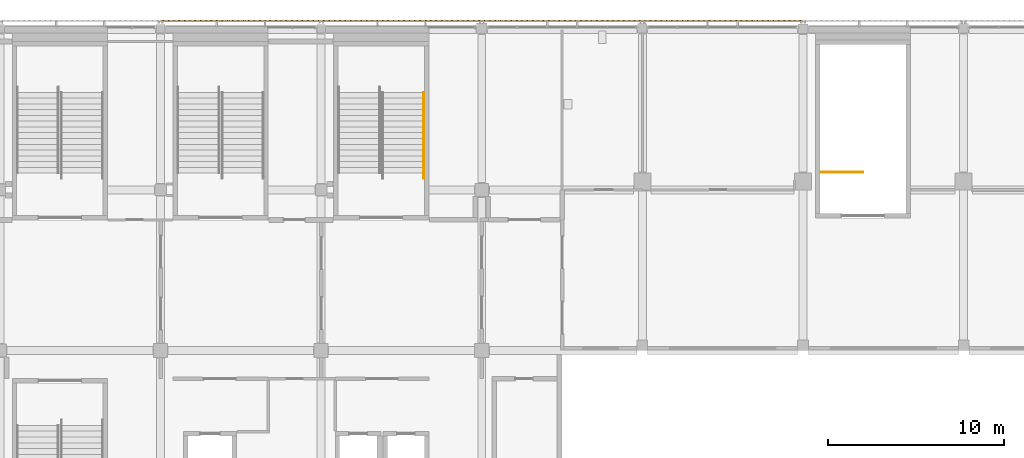
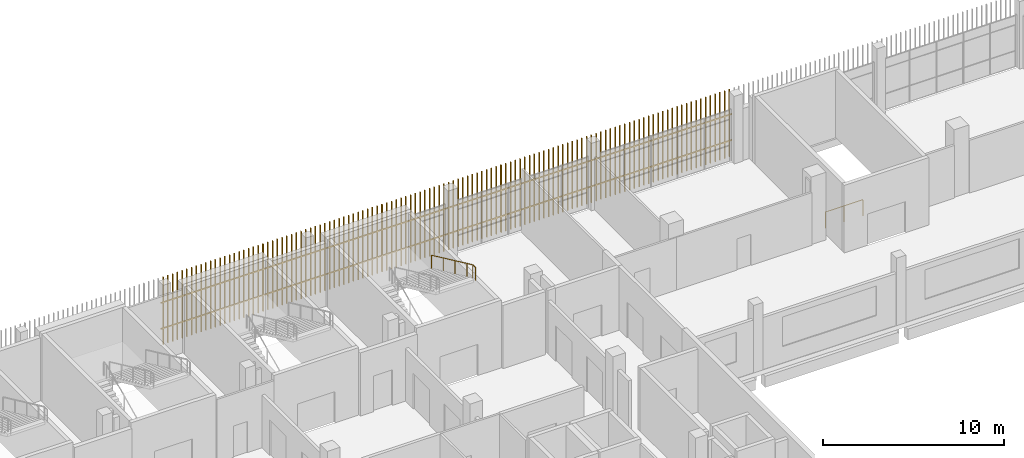
# One storey, part 96 of 104: 4 shading devices, 2 railings.
"""IFC4 building model written with IfcOpenShell, lengths in metres."""

from ifc_helpers import new_model, si_unit, direction, frame, origin, origin_2d, place, context, subcontext, project, spatial, rectangle, circle, extrude, material, type_object, element, save


model = new_model("IFC4")

# Units and contexts
model_context = context("Model", 3, precision=1e-05, world=origin(), true_north=direction((0.0, 1.0)))
body_context = subcontext(model_context, "Body", "Model", "MODEL_VIEW")
ifc_project = project(units=[si_unit("LENGTHUNIT", "METRE"), si_unit("AREAUNIT", "SQUARE_METRE"), si_unit("VOLUMEUNIT", "CUBIC_METRE"), si_unit("PLANEANGLEUNIT", "RADIAN"), si_unit("MASSUNIT", "GRAM", prefix="KILO")], contexts=[model_context])

# Site, building, storey
site_placement = place(None, origin())
site = spatial("IfcSite", under=ifc_project, at=site_placement, CompositionType="ELEMENT")
building_placement = place(site_placement, origin())
building = spatial("IfcBuilding", under=site, at=building_placement, Name="Shirokan Park Arena", CompositionType="ELEMENT")
storey_placement = place(building_placement, frame((0.0, 0.0, 10.919921875)))
storey = spatial("IfcBuildingStorey", under=building, at=storey_placement, Name="L02", CompositionType="ELEMENT", Elevation=10.919921875)

# Railings
ifc_material_1 = material(Name="Stainless steel", Category="steel")
railing_type_1 = type_object("IfcRailingType", Name="Stair handrail 900", PredefinedType="HANDRAIL", material=ifc_material_1)
railing_1_placement = place(storey_placement, frame((33.110107421875, 105.623779296875, 2.4267578125)))
element("IfcRailing", 1, at=railing_1_placement, inside=storey, type_object=railing_type_1, Name="Handrail Exit Stair 4.D L02 to L03", PredefinedType="HANDRAIL", context=body_context, shape_type="SweptSolid", body=[
    extrude(circle(Radius=0.02392578125, at=origin_2d()), frame((0.0, 0.0, 0.8759765625), z_axis=(0.0, -0.907029769225, 0.421066500378), x_axis=(1.0, 0.0, 0.0)), (0.0, 0.0, 1.0), 1.44091796875),
    extrude(circle(Radius=0.02392578125, at=origin_2d()), frame((0.0, -1.306884765625, 1.482421875), z_axis=(0.0, -0.906999720516, 0.421131222998), x_axis=(1.0, 0.0, 0.0)), (0.0, 0.0, 1.0), 1.440673828125),
    extrude(circle(Radius=0.02392578125, at=origin_2d()), frame((0.0, -2.613525390625, 2.08935546875), z_axis=(0.0, -0.907029769225, 0.421066500378), x_axis=(1.0, 0.0, 0.0)), (0.0, 0.0, 1.0), 1.44091796875),
    extrude(circle(Radius=0.02392578125, at=origin_2d()), frame((0.0, -3.92041015625, 2.69580078125), z_axis=(0.0, -0.907064445915, 0.420991794405), x_axis=(1.0, 0.0, 0.0)), (0.0, 0.0, 1.0), 0.72021484375),
    extrude(circle(Radius=0.02392578125, at=origin_2d()), frame((0.0, -4.57373046875, 2.9990234375), z_axis=(0.0, -1.0, 0.0), x_axis=(1.0, 0.0, 0.0)), (0.0, 0.0, 1.0), 0.300048828125),
    extrude(circle(Radius=0.02099609375, at=origin_2d()), origin(), (0.0, 0.0, 1.0), 0.851806640625),
    extrude(circle(Radius=0.02099609375, at=origin_2d()), frame((0.0, -1.306884765625, 0.606689453125)), (0.0, 0.0, 1.0), 0.851806640625),
    extrude(circle(Radius=0.02099609375, at=origin_2d()), frame((0.0, -2.613525390625, 1.21337890625)), (0.0, 0.0, 1.0), 0.851806640625),
    extrude(circle(Radius=0.02099609375, at=origin_2d()), frame((0.0, -3.92041015625, 1.820068359375)), (0.0, 0.0, 1.0), 0.851806640625),
    extrude(circle(Radius=0.02099609375, at=origin_2d()), frame((0.0, -4.57373046875, 2.123291015625)), (0.0, 0.0, 1.0), 0.851806640625),
    extrude(circle(Radius=0.02099609375, at=origin_2d()), frame((0.0, -4.873779296875, 2.123291015625)), (0.0, 0.0, 1.0), 0.851806640625),
])
railing_type_2 = type_object("IfcRailingType", Name="Stair well guard 1100", PredefinedType="GUARDRAIL", material=ifc_material_1)
railing_2_placement = place(storey_placement, frame((55.60009765625, 101.10009765625, 0.0)))
element("IfcRailing", 2, at=railing_2_placement, inside=storey, type_object=railing_type_2, Name="Guard Entrance Stair E4.1 L02", PredefinedType="GUARDRAIL", context=body_context, shape_type="SweptSolid", body=[
    extrude(circle(Radius=0.02490234375, at=origin_2d()), frame((0.0, 0.0, 1.0771484375), z_axis=(1.0, 0.0, 0.0), x_axis=(0.0, 1.0, 0.0)), (0.0, 0.0, 1.0), 2.39990234375),
    extrude(circle(Radius=0.02490234375, at=origin_2d()), origin(), (0.0, 0.0, 1.0), 1.052001953125),
    extrude(circle(Radius=0.02490234375, at=origin_2d()), frame((1.199951171875, 0.0, 0.0)), (0.0, 0.0, 1.0), 1.052001953125),
    extrude(circle(Radius=0.02490234375, at=origin_2d()), frame((2.39990234375, 0.0, 0.0)), (0.0, 0.0, 1.0), 1.052001953125),
])

# Shading devices
ifc_material_2 = material(Name="Timber louvre veil (cedar)", Category="wood")
shading_device_type = type_object("IfcShadingDeviceType", Name="Timber louvre veil panel", PredefinedType="JALOUSIE", material=ifc_material_2)
shading_device_1_placement = place(storey_placement, origin())
element("IfcShadingDevice", 3, at=shading_device_1_placement, inside=storey, type_object=shading_device_type, Name="Timber louvre veil north bay 11 L02", PredefinedType="JALOUSIE", context=body_context, shape_type="SweptSolid", body=[
    extrude(rectangle(XDim=0.050048828125, YDim=0.080078125, at=origin_2d()), frame((54.4482421875, 109.68505859375, 0.0), z_axis=(0.0, 0.0, 1.0), x_axis=(-1.0, 0.0, 0.0)), (0.0, 0.0, 1.0), 4.550048828125),
    extrude(rectangle(XDim=0.050048828125, YDim=0.080078125, at=origin_2d()), frame((54.14501953125, 109.68505859375, 0.0), z_axis=(0.0, 0.0, 1.0), x_axis=(-1.0, 0.0, 0.0)), (0.0, 0.0, 1.0), 4.550048828125),
    extrude(rectangle(XDim=0.050048828125, YDim=0.080078125, at=origin_2d()), frame((53.841552734375, 109.68505859375, 0.0), z_axis=(0.0, 0.0, 1.0), x_axis=(-1.0, 0.0, 0.0)), (0.0, 0.0, 1.0), 4.550048828125),
    extrude(rectangle(XDim=0.050048828125, YDim=0.080078125, at=origin_2d()), frame((53.538330078125, 109.68505859375, 0.0), z_axis=(0.0, 0.0, 1.0), x_axis=(-1.0, 0.0, 0.0)), (0.0, 0.0, 1.0), 4.550048828125),
    extrude(rectangle(XDim=0.050048828125, YDim=0.080078125, at=origin_2d()), frame((53.235107421875, 109.68505859375, 0.0), z_axis=(0.0, 0.0, 1.0), x_axis=(-1.0, 0.0, 0.0)), (0.0, 0.0, 1.0), 4.550048828125),
    extrude(rectangle(XDim=0.050048828125, YDim=0.080078125, at=origin_2d()), frame((52.931640625, 109.68505859375, 0.0), z_axis=(0.0, 0.0, 1.0), x_axis=(-1.0, 0.0, 0.0)), (0.0, 0.0, 1.0), 4.550048828125),
    extrude(rectangle(XDim=0.050048828125, YDim=0.080078125, at=origin_2d()), frame((52.62841796875, 109.68505859375, 0.0), z_axis=(0.0, 0.0, 1.0), x_axis=(-1.0, 0.0, 0.0)), (0.0, 0.0, 1.0), 4.550048828125),
    extrude(rectangle(XDim=0.050048828125, YDim=0.080078125, at=origin_2d()), frame((52.324951171875, 109.68505859375, 0.0), z_axis=(0.0, 0.0, 1.0), x_axis=(-1.0, 0.0, 0.0)), (0.0, 0.0, 1.0), 4.550048828125),
    extrude(rectangle(XDim=0.050048828125, YDim=0.080078125, at=origin_2d()), frame((52.021728515625, 109.68505859375, 0.0), z_axis=(0.0, 0.0, 1.0), x_axis=(-1.0, 0.0, 0.0)), (0.0, 0.0, 1.0), 4.550048828125),
    extrude(rectangle(XDim=0.050048828125, YDim=0.080078125, at=origin_2d()), frame((51.71826171875, 109.68505859375, 0.0), z_axis=(0.0, 0.0, 1.0), x_axis=(-1.0, 0.0, 0.0)), (0.0, 0.0, 1.0), 4.550048828125),
    extrude(rectangle(XDim=0.050048828125, YDim=0.080078125, at=origin_2d()), frame((51.4150390625, 109.68505859375, 0.0), z_axis=(0.0, 0.0, 1.0), x_axis=(-1.0, 0.0, 0.0)), (0.0, 0.0, 1.0), 4.550048828125),
    extrude(rectangle(XDim=0.050048828125, YDim=0.080078125, at=origin_2d()), frame((51.111572265625, 109.68505859375, 0.0), z_axis=(0.0, 0.0, 1.0), x_axis=(-1.0, 0.0, 0.0)), (0.0, 0.0, 1.0), 4.550048828125),
    extrude(rectangle(XDim=0.050048828125, YDim=0.080078125, at=origin_2d()), frame((50.808349609375, 109.68505859375, 0.0), z_axis=(0.0, 0.0, 1.0), x_axis=(-1.0, 0.0, 0.0)), (0.0, 0.0, 1.0), 4.550048828125),
    extrude(rectangle(XDim=0.050048828125, YDim=0.080078125, at=origin_2d()), frame((50.5048828125, 109.68505859375, 0.0), z_axis=(0.0, 0.0, 1.0), x_axis=(-1.0, 0.0, 0.0)), (0.0, 0.0, 1.0), 4.550048828125),
    extrude(rectangle(XDim=0.050048828125, YDim=0.080078125, at=origin_2d()), frame((50.20166015625, 109.68505859375, 0.0), z_axis=(0.0, 0.0, 1.0), x_axis=(-1.0, 0.0, 0.0)), (0.0, 0.0, 1.0), 4.550048828125),
    extrude(rectangle(XDim=0.050048828125, YDim=0.080078125, at=origin_2d()), frame((49.8984375, 109.68505859375, 0.0), z_axis=(0.0, 0.0, 1.0), x_axis=(-1.0, 0.0, 0.0)), (0.0, 0.0, 1.0), 4.550048828125),
    extrude(rectangle(XDim=0.050048828125, YDim=0.080078125, at=origin_2d()), frame((49.594970703125, 109.68505859375, 0.0), z_axis=(0.0, 0.0, 1.0), x_axis=(-1.0, 0.0, 0.0)), (0.0, 0.0, 1.0), 4.550048828125),
    extrude(rectangle(XDim=0.050048828125, YDim=0.080078125, at=origin_2d()), frame((49.291748046875, 109.68505859375, 0.0), z_axis=(0.0, 0.0, 1.0), x_axis=(-1.0, 0.0, 0.0)), (0.0, 0.0, 1.0), 4.550048828125),
    extrude(rectangle(XDim=0.050048828125, YDim=0.080078125, at=origin_2d()), frame((48.98828125, 109.68505859375, 0.0), z_axis=(0.0, 0.0, 1.0), x_axis=(-1.0, 0.0, 0.0)), (0.0, 0.0, 1.0), 4.550048828125),
    extrude(rectangle(XDim=0.050048828125, YDim=0.080078125, at=origin_2d()), frame((48.68505859375, 109.68505859375, 0.0), z_axis=(0.0, 0.0, 1.0), x_axis=(-1.0, 0.0, 0.0)), (0.0, 0.0, 1.0), 4.550048828125),
    extrude(rectangle(XDim=0.050048828125, YDim=0.080078125, at=origin_2d()), frame((48.381591796875, 109.68505859375, 0.0), z_axis=(0.0, 0.0, 1.0), x_axis=(-1.0, 0.0, 0.0)), (0.0, 0.0, 1.0), 4.550048828125),
    extrude(rectangle(XDim=0.050048828125, YDim=0.080078125, at=origin_2d()), frame((48.078369140625, 109.68505859375, 0.0), z_axis=(0.0, 0.0, 1.0), x_axis=(-1.0, 0.0, 0.0)), (0.0, 0.0, 1.0), 4.550048828125),
    extrude(rectangle(XDim=0.050048828125, YDim=0.080078125, at=origin_2d()), frame((47.77490234375, 109.68505859375, 0.0), z_axis=(0.0, 0.0, 1.0), x_axis=(-1.0, 0.0, 0.0)), (0.0, 0.0, 1.0), 4.550048828125),
    extrude(rectangle(XDim=0.050048828125, YDim=0.080078125, at=origin_2d()), frame((47.4716796875, 109.68505859375, 0.0), z_axis=(0.0, 0.0, 1.0), x_axis=(-1.0, 0.0, 0.0)), (0.0, 0.0, 1.0), 4.550048828125),
    extrude(rectangle(XDim=0.050048828125, YDim=0.080078125, at=origin_2d()), frame((47.168212890625, 109.68505859375, 0.0), z_axis=(0.0, 0.0, 1.0), x_axis=(-1.0, 0.0, 0.0)), (0.0, 0.0, 1.0), 4.550048828125),
    extrude(rectangle(XDim=0.050048828125, YDim=0.080078125, at=origin_2d()), frame((46.864990234375, 109.68505859375, 0.0), z_axis=(0.0, 0.0, 1.0), x_axis=(-1.0, 0.0, 0.0)), (0.0, 0.0, 1.0), 4.550048828125),
    extrude(rectangle(XDim=0.050048828125, YDim=0.080078125, at=origin_2d()), frame((46.561767578125, 109.68505859375, 0.0), z_axis=(0.0, 0.0, 1.0), x_axis=(-1.0, 0.0, 0.0)), (0.0, 0.0, 1.0), 4.550048828125),
    extrude(rectangle(XDim=0.050048828125, YDim=0.080078125, at=origin_2d()), frame((46.25830078125, 109.68505859375, 0.0), z_axis=(0.0, 0.0, 1.0), x_axis=(-1.0, 0.0, 0.0)), (0.0, 0.0, 1.0), 4.550048828125),
    extrude(rectangle(XDim=0.050048828125, YDim=0.080078125, at=origin_2d()), frame((45.955078125, 109.68505859375, 0.0), z_axis=(0.0, 0.0, 1.0), x_axis=(-1.0, 0.0, 0.0)), (0.0, 0.0, 1.0), 4.550048828125),
    extrude(rectangle(XDim=0.050048828125, YDim=0.080078125, at=origin_2d()), frame((45.651611328125, 109.68505859375, 0.0), z_axis=(0.0, 0.0, 1.0), x_axis=(-1.0, 0.0, 0.0)), (0.0, 0.0, 1.0), 4.550048828125),
    extrude(rectangle(XDim=9.10009765625, YDim=0.050048828125, at=origin_2d()), frame((50.050048828125, 109.669921875, 1.06005859375), z_axis=(0.0, 0.0, 1.0), x_axis=(-1.0, 0.0, 0.0)), (0.0, 0.0, 1.0), 0.080078125),
    extrude(rectangle(XDim=9.10009765625, YDim=0.050048828125, at=origin_2d()), frame((50.050048828125, 109.669921875, 2.81005859375), z_axis=(0.0, 0.0, 1.0), x_axis=(-1.0, 0.0, 0.0)), (0.0, 0.0, 1.0), 0.080078125),
])
shading_device_2_placement = place(storey_placement, origin())
element("IfcShadingDevice", 4, at=shading_device_2_placement, inside=storey, type_object=shading_device_type, Name="Timber louvre veil north bay 12 L02", PredefinedType="JALOUSIE", context=body_context, shape_type="SweptSolid", body=[
    extrude(rectangle(XDim=0.050048828125, YDim=0.080078125, at=origin_2d()), frame((45.348388671875, 109.68505859375, 0.0), z_axis=(0.0, 0.0, 1.0), x_axis=(-1.0, 0.0, 0.0)), (0.0, 0.0, 1.0), 4.550048828125),
    extrude(rectangle(XDim=0.050048828125, YDim=0.080078125, at=origin_2d()), frame((45.044921875, 109.68505859375, 0.0), z_axis=(0.0, 0.0, 1.0), x_axis=(-1.0, 0.0, 0.0)), (0.0, 0.0, 1.0), 4.550048828125),
    extrude(rectangle(XDim=0.050048828125, YDim=0.080078125, at=origin_2d()), frame((44.74169921875, 109.68505859375, 0.0), z_axis=(0.0, 0.0, 1.0), x_axis=(-1.0, 0.0, 0.0)), (0.0, 0.0, 1.0), 4.550048828125),
    extrude(rectangle(XDim=0.050048828125, YDim=0.080078125, at=origin_2d()), frame((44.438232421875, 109.68505859375, 0.0), z_axis=(0.0, 0.0, 1.0), x_axis=(-1.0, 0.0, 0.0)), (0.0, 0.0, 1.0), 4.550048828125),
    extrude(rectangle(XDim=0.050048828125, YDim=0.080078125, at=origin_2d()), frame((44.135009765625, 109.68505859375, 0.0), z_axis=(0.0, 0.0, 1.0), x_axis=(-1.0, 0.0, 0.0)), (0.0, 0.0, 1.0), 4.550048828125),
    extrude(rectangle(XDim=0.050048828125, YDim=0.080078125, at=origin_2d()), frame((43.831787109375, 109.68505859375, 0.0), z_axis=(0.0, 0.0, 1.0), x_axis=(-1.0, 0.0, 0.0)), (0.0, 0.0, 1.0), 4.550048828125),
    extrude(rectangle(XDim=0.050048828125, YDim=0.080078125, at=origin_2d()), frame((43.5283203125, 109.68505859375, 0.0), z_axis=(0.0, 0.0, 1.0), x_axis=(-1.0, 0.0, 0.0)), (0.0, 0.0, 1.0), 4.550048828125),
    extrude(rectangle(XDim=0.050048828125, YDim=0.080078125, at=origin_2d()), frame((43.22509765625, 109.68505859375, 0.0), z_axis=(0.0, 0.0, 1.0), x_axis=(-1.0, 0.0, 0.0)), (0.0, 0.0, 1.0), 4.550048828125),
    extrude(rectangle(XDim=0.050048828125, YDim=0.080078125, at=origin_2d()), frame((42.921630859375, 109.68505859375, 0.0), z_axis=(0.0, 0.0, 1.0), x_axis=(-1.0, 0.0, 0.0)), (0.0, 0.0, 1.0), 4.550048828125),
    extrude(rectangle(XDim=0.050048828125, YDim=0.080078125, at=origin_2d()), frame((42.618408203125, 109.68505859375, 0.0), z_axis=(0.0, 0.0, 1.0), x_axis=(-1.0, 0.0, 0.0)), (0.0, 0.0, 1.0), 4.550048828125),
    extrude(rectangle(XDim=0.050048828125, YDim=0.080078125, at=origin_2d()), frame((42.31494140625, 109.68505859375, 0.0), z_axis=(0.0, 0.0, 1.0), x_axis=(-1.0, 0.0, 0.0)), (0.0, 0.0, 1.0), 4.550048828125),
    extrude(rectangle(XDim=0.050048828125, YDim=0.080078125, at=origin_2d()), frame((42.01171875, 109.68505859375, 0.0), z_axis=(0.0, 0.0, 1.0), x_axis=(-1.0, 0.0, 0.0)), (0.0, 0.0, 1.0), 4.550048828125),
    extrude(rectangle(XDim=0.050048828125, YDim=0.080078125, at=origin_2d()), frame((41.708251953125, 109.68505859375, 0.0), z_axis=(0.0, 0.0, 1.0), x_axis=(-1.0, 0.0, 0.0)), (0.0, 0.0, 1.0), 4.550048828125),
    extrude(rectangle(XDim=0.050048828125, YDim=0.080078125, at=origin_2d()), frame((41.405029296875, 109.68505859375, 0.0), z_axis=(0.0, 0.0, 1.0), x_axis=(-1.0, 0.0, 0.0)), (0.0, 0.0, 1.0), 4.550048828125),
    extrude(rectangle(XDim=0.050048828125, YDim=0.080078125, at=origin_2d()), frame((41.1015625, 109.68505859375, 0.0), z_axis=(0.0, 0.0, 1.0), x_axis=(-1.0, 0.0, 0.0)), (0.0, 0.0, 1.0), 4.550048828125),
    extrude(rectangle(XDim=0.050048828125, YDim=0.080078125, at=origin_2d()), frame((40.79833984375, 109.68505859375, 0.0), z_axis=(0.0, 0.0, 1.0), x_axis=(-1.0, 0.0, 0.0)), (0.0, 0.0, 1.0), 4.550048828125),
    extrude(rectangle(XDim=0.050048828125, YDim=0.080078125, at=origin_2d()), frame((40.4951171875, 109.68505859375, 0.0), z_axis=(0.0, 0.0, 1.0), x_axis=(-1.0, 0.0, 0.0)), (0.0, 0.0, 1.0), 4.550048828125),
    extrude(rectangle(XDim=0.050048828125, YDim=0.080078125, at=origin_2d()), frame((40.191650390625, 109.68505859375, 0.0), z_axis=(0.0, 0.0, 1.0), x_axis=(-1.0, 0.0, 0.0)), (0.0, 0.0, 1.0), 4.550048828125),
    extrude(rectangle(XDim=0.050048828125, YDim=0.080078125, at=origin_2d()), frame((39.888427734375, 109.68505859375, 0.0), z_axis=(0.0, 0.0, 1.0), x_axis=(-1.0, 0.0, 0.0)), (0.0, 0.0, 1.0), 4.550048828125),
    extrude(rectangle(XDim=0.050048828125, YDim=0.080078125, at=origin_2d()), frame((39.5849609375, 109.68505859375, 0.0), z_axis=(0.0, 0.0, 1.0), x_axis=(-1.0, 0.0, 0.0)), (0.0, 0.0, 1.0), 4.550048828125),
    extrude(rectangle(XDim=0.050048828125, YDim=0.080078125, at=origin_2d()), frame((39.28173828125, 109.68505859375, 0.0), z_axis=(0.0, 0.0, 1.0), x_axis=(-1.0, 0.0, 0.0)), (0.0, 0.0, 1.0), 4.550048828125),
    extrude(rectangle(XDim=0.050048828125, YDim=0.080078125, at=origin_2d()), frame((38.978271484375, 109.68505859375, 0.0), z_axis=(0.0, 0.0, 1.0), x_axis=(-1.0, 0.0, 0.0)), (0.0, 0.0, 1.0), 4.550048828125),
    extrude(rectangle(XDim=0.050048828125, YDim=0.080078125, at=origin_2d()), frame((38.675048828125, 109.68505859375, 0.0), z_axis=(0.0, 0.0, 1.0), x_axis=(-1.0, 0.0, 0.0)), (0.0, 0.0, 1.0), 4.550048828125),
    extrude(rectangle(XDim=0.050048828125, YDim=0.080078125, at=origin_2d()), frame((38.37158203125, 109.68505859375, 0.0), z_axis=(0.0, 0.0, 1.0), x_axis=(-1.0, 0.0, 0.0)), (0.0, 0.0, 1.0), 4.550048828125),
    extrude(rectangle(XDim=0.050048828125, YDim=0.080078125, at=origin_2d()), frame((38.068359375, 109.68505859375, 0.0), z_axis=(0.0, 0.0, 1.0), x_axis=(-1.0, 0.0, 0.0)), (0.0, 0.0, 1.0), 4.550048828125),
    extrude(rectangle(XDim=0.050048828125, YDim=0.080078125, at=origin_2d()), frame((37.764892578125, 109.68505859375, 0.0), z_axis=(0.0, 0.0, 1.0), x_axis=(-1.0, 0.0, 0.0)), (0.0, 0.0, 1.0), 4.550048828125),
    extrude(rectangle(XDim=0.050048828125, YDim=0.080078125, at=origin_2d()), frame((37.461669921875, 109.68505859375, 0.0), z_axis=(0.0, 0.0, 1.0), x_axis=(-1.0, 0.0, 0.0)), (0.0, 0.0, 1.0), 4.550048828125),
    extrude(rectangle(XDim=0.050048828125, YDim=0.080078125, at=origin_2d()), frame((37.158447265625, 109.68505859375, 0.0), z_axis=(0.0, 0.0, 1.0), x_axis=(-1.0, 0.0, 0.0)), (0.0, 0.0, 1.0), 4.550048828125),
    extrude(rectangle(XDim=0.050048828125, YDim=0.080078125, at=origin_2d()), frame((36.85498046875, 109.68505859375, 0.0), z_axis=(0.0, 0.0, 1.0), x_axis=(-1.0, 0.0, 0.0)), (0.0, 0.0, 1.0), 4.550048828125),
    extrude(rectangle(XDim=0.050048828125, YDim=0.080078125, at=origin_2d()), frame((36.5517578125, 109.68505859375, 0.0), z_axis=(0.0, 0.0, 1.0), x_axis=(-1.0, 0.0, 0.0)), (0.0, 0.0, 1.0), 4.550048828125),
    extrude(rectangle(XDim=9.10009765625, YDim=0.050048828125, at=origin_2d()), frame((40.949951171875, 109.669921875, 1.06005859375), z_axis=(0.0, 0.0, 1.0), x_axis=(-1.0, 0.0, 0.0)), (0.0, 0.0, 1.0), 0.080078125),
    extrude(rectangle(XDim=9.10009765625, YDim=0.050048828125, at=origin_2d()), frame((40.949951171875, 109.669921875, 2.81005859375), z_axis=(0.0, 0.0, 1.0), x_axis=(-1.0, 0.0, 0.0)), (0.0, 0.0, 1.0), 0.080078125),
])
shading_device_3_placement = place(storey_placement, origin())
element("IfcShadingDevice", 5, at=shading_device_3_placement, inside=storey, type_object=shading_device_type, Name="Timber louvre veil north bay 13 L02", PredefinedType="JALOUSIE", context=body_context, shape_type="SweptSolid", body=[
    extrude(rectangle(XDim=0.050048828125, YDim=0.080078125, at=origin_2d()), frame((36.248291015625, 109.68505859375, 0.0), z_axis=(0.0, 0.0, 1.0), x_axis=(-1.0, 0.0, 0.0)), (0.0, 0.0, 1.0), 4.550048828125),
    extrude(rectangle(XDim=0.050048828125, YDim=0.080078125, at=origin_2d()), frame((35.945068359375, 109.68505859375, 0.0), z_axis=(0.0, 0.0, 1.0), x_axis=(-1.0, 0.0, 0.0)), (0.0, 0.0, 1.0), 4.550048828125),
    extrude(rectangle(XDim=0.050048828125, YDim=0.080078125, at=origin_2d()), frame((35.6416015625, 109.68505859375, 0.0), z_axis=(0.0, 0.0, 1.0), x_axis=(-1.0, 0.0, 0.0)), (0.0, 0.0, 1.0), 4.550048828125),
    extrude(rectangle(XDim=0.050048828125, YDim=0.080078125, at=origin_2d()), frame((35.33837890625, 109.68505859375, 0.0), z_axis=(0.0, 0.0, 1.0), x_axis=(-1.0, 0.0, 0.0)), (0.0, 0.0, 1.0), 4.550048828125),
    extrude(rectangle(XDim=0.050048828125, YDim=0.080078125, at=origin_2d()), frame((35.034912109375, 109.68505859375, 0.0), z_axis=(0.0, 0.0, 1.0), x_axis=(-1.0, 0.0, 0.0)), (0.0, 0.0, 1.0), 4.550048828125),
    extrude(rectangle(XDim=0.050048828125, YDim=0.080078125, at=origin_2d()), frame((34.731689453125, 109.68505859375, 0.0), z_axis=(0.0, 0.0, 1.0), x_axis=(-1.0, 0.0, 0.0)), (0.0, 0.0, 1.0), 4.550048828125),
    extrude(rectangle(XDim=0.050048828125, YDim=0.080078125, at=origin_2d()), frame((34.42822265625, 109.68505859375, 0.0), z_axis=(0.0, 0.0, 1.0), x_axis=(-1.0, 0.0, 0.0)), (0.0, 0.0, 1.0), 4.550048828125),
    extrude(rectangle(XDim=0.050048828125, YDim=0.080078125, at=origin_2d()), frame((34.125, 109.68505859375, 0.0), z_axis=(0.0, 0.0, 1.0), x_axis=(-1.0, 0.0, 0.0)), (0.0, 0.0, 1.0), 4.550048828125),
    extrude(rectangle(XDim=0.050048828125, YDim=0.080078125, at=origin_2d()), frame((33.82177734375, 109.68505859375, 0.0), z_axis=(0.0, 0.0, 1.0), x_axis=(-1.0, 0.0, 0.0)), (0.0, 0.0, 1.0), 4.550048828125),
    extrude(rectangle(XDim=0.050048828125, YDim=0.080078125, at=origin_2d()), frame((33.518310546875, 109.68505859375, 0.0), z_axis=(0.0, 0.0, 1.0), x_axis=(-1.0, 0.0, 0.0)), (0.0, 0.0, 1.0), 4.550048828125),
    extrude(rectangle(XDim=0.050048828125, YDim=0.080078125, at=origin_2d()), frame((33.215087890625, 109.68505859375, 0.0), z_axis=(0.0, 0.0, 1.0), x_axis=(-1.0, 0.0, 0.0)), (0.0, 0.0, 1.0), 4.550048828125),
    extrude(rectangle(XDim=0.050048828125, YDim=0.080078125, at=origin_2d()), frame((32.91162109375, 109.68505859375, 0.0), z_axis=(0.0, 0.0, 1.0), x_axis=(-1.0, 0.0, 0.0)), (0.0, 0.0, 1.0), 4.550048828125),
    extrude(rectangle(XDim=0.050048828125, YDim=0.080078125, at=origin_2d()), frame((32.6083984375, 109.68505859375, 0.0), z_axis=(0.0, 0.0, 1.0), x_axis=(-1.0, 0.0, 0.0)), (0.0, 0.0, 1.0), 4.550048828125),
    extrude(rectangle(XDim=0.050048828125, YDim=0.080078125, at=origin_2d()), frame((32.304931640625, 109.68505859375, 0.0), z_axis=(0.0, 0.0, 1.0), x_axis=(-1.0, 0.0, 0.0)), (0.0, 0.0, 1.0), 4.550048828125),
    extrude(rectangle(XDim=0.050048828125, YDim=0.080078125, at=origin_2d()), frame((32.001708984375, 109.68505859375, 0.0), z_axis=(0.0, 0.0, 1.0), x_axis=(-1.0, 0.0, 0.0)), (0.0, 0.0, 1.0), 4.550048828125),
    extrude(rectangle(XDim=0.050048828125, YDim=0.080078125, at=origin_2d()), frame((31.6982421875, 109.68505859375, 0.0), z_axis=(0.0, 0.0, 1.0), x_axis=(-1.0, 0.0, 0.0)), (0.0, 0.0, 1.0), 4.550048828125),
    extrude(rectangle(XDim=0.050048828125, YDim=0.080078125, at=origin_2d()), frame((31.39501953125, 109.68505859375, 0.0), z_axis=(0.0, 0.0, 1.0), x_axis=(-1.0, 0.0, 0.0)), (0.0, 0.0, 1.0), 4.550048828125),
    extrude(rectangle(XDim=0.050048828125, YDim=0.080078125, at=origin_2d()), frame((31.091552734375, 109.68505859375, 0.0), z_axis=(0.0, 0.0, 1.0), x_axis=(-1.0, 0.0, 0.0)), (0.0, 0.0, 1.0), 4.550048828125),
    extrude(rectangle(XDim=0.050048828125, YDim=0.080078125, at=origin_2d()), frame((30.788330078125, 109.68505859375, 0.0), z_axis=(0.0, 0.0, 1.0), x_axis=(-1.0, 0.0, 0.0)), (0.0, 0.0, 1.0), 4.550048828125),
    extrude(rectangle(XDim=0.050048828125, YDim=0.080078125, at=origin_2d()), frame((30.485107421875, 109.68505859375, 0.0), z_axis=(0.0, 0.0, 1.0), x_axis=(-1.0, 0.0, 0.0)), (0.0, 0.0, 1.0), 4.550048828125),
    extrude(rectangle(XDim=0.050048828125, YDim=0.080078125, at=origin_2d()), frame((30.181640625, 109.68505859375, 0.0), z_axis=(0.0, 0.0, 1.0), x_axis=(-1.0, 0.0, 0.0)), (0.0, 0.0, 1.0), 4.550048828125),
    extrude(rectangle(XDim=0.050048828125, YDim=0.080078125, at=origin_2d()), frame((29.87841796875, 109.68505859375, 0.0), z_axis=(0.0, 0.0, 1.0), x_axis=(-1.0, 0.0, 0.0)), (0.0, 0.0, 1.0), 4.550048828125),
    extrude(rectangle(XDim=0.050048828125, YDim=0.080078125, at=origin_2d()), frame((29.574951171875, 109.68505859375, 0.0), z_axis=(0.0, 0.0, 1.0), x_axis=(-1.0, 0.0, 0.0)), (0.0, 0.0, 1.0), 4.550048828125),
    extrude(rectangle(XDim=0.050048828125, YDim=0.080078125, at=origin_2d()), frame((29.271728515625, 109.68505859375, 0.0), z_axis=(0.0, 0.0, 1.0), x_axis=(-1.0, 0.0, 0.0)), (0.0, 0.0, 1.0), 4.550048828125),
    extrude(rectangle(XDim=0.050048828125, YDim=0.080078125, at=origin_2d()), frame((28.96826171875, 109.68505859375, 0.0), z_axis=(0.0, 0.0, 1.0), x_axis=(-1.0, 0.0, 0.0)), (0.0, 0.0, 1.0), 4.550048828125),
    extrude(rectangle(XDim=0.050048828125, YDim=0.080078125, at=origin_2d()), frame((28.6650390625, 109.68505859375, 0.0), z_axis=(0.0, 0.0, 1.0), x_axis=(-1.0, 0.0, 0.0)), (0.0, 0.0, 1.0), 4.550048828125),
    extrude(rectangle(XDim=0.050048828125, YDim=0.080078125, at=origin_2d()), frame((28.361572265625, 109.68505859375, 0.0), z_axis=(0.0, 0.0, 1.0), x_axis=(-1.0, 0.0, 0.0)), (0.0, 0.0, 1.0), 4.550048828125),
    extrude(rectangle(XDim=0.050048828125, YDim=0.080078125, at=origin_2d()), frame((28.058349609375, 109.68505859375, 0.0), z_axis=(0.0, 0.0, 1.0), x_axis=(-1.0, 0.0, 0.0)), (0.0, 0.0, 1.0), 4.550048828125),
    extrude(rectangle(XDim=0.050048828125, YDim=0.080078125, at=origin_2d()), frame((27.7548828125, 109.68505859375, 0.0), z_axis=(0.0, 0.0, 1.0), x_axis=(-1.0, 0.0, 0.0)), (0.0, 0.0, 1.0), 4.550048828125),
    extrude(rectangle(XDim=0.050048828125, YDim=0.080078125, at=origin_2d()), frame((27.45166015625, 109.68505859375, 0.0), z_axis=(0.0, 0.0, 1.0), x_axis=(-1.0, 0.0, 0.0)), (0.0, 0.0, 1.0), 4.550048828125),
    extrude(rectangle(XDim=9.10009765625, YDim=0.050048828125, at=origin_2d()), frame((31.85009765625, 109.669921875, 1.06005859375), z_axis=(0.0, 0.0, 1.0), x_axis=(-1.0, 0.0, 0.0)), (0.0, 0.0, 1.0), 0.080078125),
    extrude(rectangle(XDim=9.10009765625, YDim=0.050048828125, at=origin_2d()), frame((31.85009765625, 109.669921875, 2.81005859375), z_axis=(0.0, 0.0, 1.0), x_axis=(-1.0, 0.0, 0.0)), (0.0, 0.0, 1.0), 0.080078125),
])
shading_device_4_placement = place(storey_placement, origin())
element("IfcShadingDevice", 6, at=shading_device_4_placement, inside=storey, type_object=shading_device_type, Name="Timber louvre veil north bay 14 L02", PredefinedType="JALOUSIE", context=body_context, shape_type="SweptSolid", body=[
    extrude(rectangle(XDim=0.050048828125, YDim=0.080078125, at=origin_2d()), frame((27.1484375, 109.68505859375, 0.0), z_axis=(0.0, 0.0, 1.0), x_axis=(-1.0, 0.0, 0.0)), (0.0, 0.0, 1.0), 4.550048828125),
    extrude(rectangle(XDim=0.050048828125, YDim=0.080078125, at=origin_2d()), frame((26.844970703125, 109.68505859375, 0.0), z_axis=(0.0, 0.0, 1.0), x_axis=(-1.0, 0.0, 0.0)), (0.0, 0.0, 1.0), 4.550048828125),
    extrude(rectangle(XDim=0.050048828125, YDim=0.080078125, at=origin_2d()), frame((26.541748046875, 109.68505859375, 0.0), z_axis=(0.0, 0.0, 1.0), x_axis=(-1.0, 0.0, 0.0)), (0.0, 0.0, 1.0), 4.550048828125),
    extrude(rectangle(XDim=0.050048828125, YDim=0.080078125, at=origin_2d()), frame((26.23828125, 109.68505859375, 0.0), z_axis=(0.0, 0.0, 1.0), x_axis=(-1.0, 0.0, 0.0)), (0.0, 0.0, 1.0), 4.550048828125),
    extrude(rectangle(XDim=0.050048828125, YDim=0.080078125, at=origin_2d()), frame((25.93505859375, 109.68505859375, 0.0), z_axis=(0.0, 0.0, 1.0), x_axis=(-1.0, 0.0, 0.0)), (0.0, 0.0, 1.0), 4.550048828125),
    extrude(rectangle(XDim=0.050048828125, YDim=0.080078125, at=origin_2d()), frame((25.631591796875, 109.68505859375, 0.0), z_axis=(0.0, 0.0, 1.0), x_axis=(-1.0, 0.0, 0.0)), (0.0, 0.0, 1.0), 4.550048828125),
    extrude(rectangle(XDim=0.050048828125, YDim=0.080078125, at=origin_2d()), frame((25.328369140625, 109.68505859375, 0.0), z_axis=(0.0, 0.0, 1.0), x_axis=(-1.0, 0.0, 0.0)), (0.0, 0.0, 1.0), 4.550048828125),
    extrude(rectangle(XDim=0.050048828125, YDim=0.080078125, at=origin_2d()), frame((25.02490234375, 109.68505859375, 0.0), z_axis=(0.0, 0.0, 1.0), x_axis=(-1.0, 0.0, 0.0)), (0.0, 0.0, 1.0), 4.550048828125),
    extrude(rectangle(XDim=0.050048828125, YDim=0.080078125, at=origin_2d()), frame((24.7216796875, 109.68505859375, 0.0), z_axis=(0.0, 0.0, 1.0), x_axis=(-1.0, 0.0, 0.0)), (0.0, 0.0, 1.0), 4.550048828125),
    extrude(rectangle(XDim=0.050048828125, YDim=0.080078125, at=origin_2d()), frame((24.418212890625, 109.68505859375, 0.0), z_axis=(0.0, 0.0, 1.0), x_axis=(-1.0, 0.0, 0.0)), (0.0, 0.0, 1.0), 4.550048828125),
    extrude(rectangle(XDim=0.050048828125, YDim=0.080078125, at=origin_2d()), frame((24.114990234375, 109.68505859375, 0.0), z_axis=(0.0, 0.0, 1.0), x_axis=(-1.0, 0.0, 0.0)), (0.0, 0.0, 1.0), 4.550048828125),
    extrude(rectangle(XDim=0.050048828125, YDim=0.080078125, at=origin_2d()), frame((23.811767578125, 109.68505859375, 0.0), z_axis=(0.0, 0.0, 1.0), x_axis=(-1.0, 0.0, 0.0)), (0.0, 0.0, 1.0), 4.550048828125),
    extrude(rectangle(XDim=0.050048828125, YDim=0.080078125, at=origin_2d()), frame((23.50830078125, 109.68505859375, 0.0), z_axis=(0.0, 0.0, 1.0), x_axis=(-1.0, 0.0, 0.0)), (0.0, 0.0, 1.0), 4.550048828125),
    extrude(rectangle(XDim=0.050048828125, YDim=0.080078125, at=origin_2d()), frame((23.205078125, 109.68505859375, 0.0), z_axis=(0.0, 0.0, 1.0), x_axis=(-1.0, 0.0, 0.0)), (0.0, 0.0, 1.0), 4.550048828125),
    extrude(rectangle(XDim=0.050048828125, YDim=0.080078125, at=origin_2d()), frame((22.901611328125, 109.68505859375, 0.0), z_axis=(0.0, 0.0, 1.0), x_axis=(-1.0, 0.0, 0.0)), (0.0, 0.0, 1.0), 4.550048828125),
    extrude(rectangle(XDim=0.050048828125, YDim=0.080078125, at=origin_2d()), frame((22.598388671875, 109.68505859375, 0.0), z_axis=(0.0, 0.0, 1.0), x_axis=(-1.0, 0.0, 0.0)), (0.0, 0.0, 1.0), 4.550048828125),
    extrude(rectangle(XDim=0.050048828125, YDim=0.080078125, at=origin_2d()), frame((22.294921875, 109.68505859375, 0.0), z_axis=(0.0, 0.0, 1.0), x_axis=(-1.0, 0.0, 0.0)), (0.0, 0.0, 1.0), 4.550048828125),
    extrude(rectangle(XDim=0.050048828125, YDim=0.080078125, at=origin_2d()), frame((21.99169921875, 109.68505859375, 0.0), z_axis=(0.0, 0.0, 1.0), x_axis=(-1.0, 0.0, 0.0)), (0.0, 0.0, 1.0), 4.550048828125),
    extrude(rectangle(XDim=0.050048828125, YDim=0.080078125, at=origin_2d()), frame((21.688232421875, 109.68505859375, 0.0), z_axis=(0.0, 0.0, 1.0), x_axis=(-1.0, 0.0, 0.0)), (0.0, 0.0, 1.0), 4.550048828125),
    extrude(rectangle(XDim=0.050048828125, YDim=0.080078125, at=origin_2d()), frame((21.385009765625, 109.68505859375, 0.0), z_axis=(0.0, 0.0, 1.0), x_axis=(-1.0, 0.0, 0.0)), (0.0, 0.0, 1.0), 4.550048828125),
    extrude(rectangle(XDim=0.050048828125, YDim=0.080078125, at=origin_2d()), frame((21.081787109375, 109.68505859375, 0.0), z_axis=(0.0, 0.0, 1.0), x_axis=(-1.0, 0.0, 0.0)), (0.0, 0.0, 1.0), 4.550048828125),
    extrude(rectangle(XDim=0.050048828125, YDim=0.080078125, at=origin_2d()), frame((20.7783203125, 109.68505859375, 0.0), z_axis=(0.0, 0.0, 1.0), x_axis=(-1.0, 0.0, 0.0)), (0.0, 0.0, 1.0), 4.550048828125),
    extrude(rectangle(XDim=0.050048828125, YDim=0.080078125, at=origin_2d()), frame((20.47509765625, 109.68505859375, 0.0), z_axis=(0.0, 0.0, 1.0), x_axis=(-1.0, 0.0, 0.0)), (0.0, 0.0, 1.0), 4.550048828125),
    extrude(rectangle(XDim=0.050048828125, YDim=0.080078125, at=origin_2d()), frame((20.171630859375, 109.68505859375, 0.0), z_axis=(0.0, 0.0, 1.0), x_axis=(-1.0, 0.0, 0.0)), (0.0, 0.0, 1.0), 4.550048828125),
    extrude(rectangle(XDim=0.050048828125, YDim=0.080078125, at=origin_2d()), frame((19.868408203125, 109.68505859375, 0.0), z_axis=(0.0, 0.0, 1.0), x_axis=(-1.0, 0.0, 0.0)), (0.0, 0.0, 1.0), 4.550048828125),
    extrude(rectangle(XDim=0.050048828125, YDim=0.080078125, at=origin_2d()), frame((19.56494140625, 109.68505859375, 0.0), z_axis=(0.0, 0.0, 1.0), x_axis=(-1.0, 0.0, 0.0)), (0.0, 0.0, 1.0), 4.550048828125),
    extrude(rectangle(XDim=0.050048828125, YDim=0.080078125, at=origin_2d()), frame((19.26171875, 109.68505859375, 0.0), z_axis=(0.0, 0.0, 1.0), x_axis=(-1.0, 0.0, 0.0)), (0.0, 0.0, 1.0), 4.550048828125),
    extrude(rectangle(XDim=0.050048828125, YDim=0.080078125, at=origin_2d()), frame((18.958251953125, 109.68505859375, 0.0), z_axis=(0.0, 0.0, 1.0), x_axis=(-1.0, 0.0, 0.0)), (0.0, 0.0, 1.0), 4.550048828125),
    extrude(rectangle(XDim=0.050048828125, YDim=0.080078125, at=origin_2d()), frame((18.655029296875, 109.68505859375, 0.0), z_axis=(0.0, 0.0, 1.0), x_axis=(-1.0, 0.0, 0.0)), (0.0, 0.0, 1.0), 4.550048828125),
    extrude(rectangle(XDim=0.050048828125, YDim=0.080078125, at=origin_2d()), frame((18.3515625, 109.68505859375, 0.0), z_axis=(0.0, 0.0, 1.0), x_axis=(-1.0, 0.0, 0.0)), (0.0, 0.0, 1.0), 4.550048828125),
    extrude(rectangle(XDim=9.10009765625, YDim=0.050048828125, at=origin_2d()), frame((22.75, 109.669921875, 1.06005859375), z_axis=(0.0, 0.0, 1.0), x_axis=(-1.0, 0.0, 0.0)), (0.0, 0.0, 1.0), 0.080078125),
    extrude(rectangle(XDim=9.10009765625, YDim=0.050048828125, at=origin_2d()), frame((22.75, 109.669921875, 2.81005859375), z_axis=(0.0, 0.0, 1.0), x_axis=(-1.0, 0.0, 0.0)), (0.0, 0.0, 1.0), 0.080078125),
])

save(model, "model.ifc")
